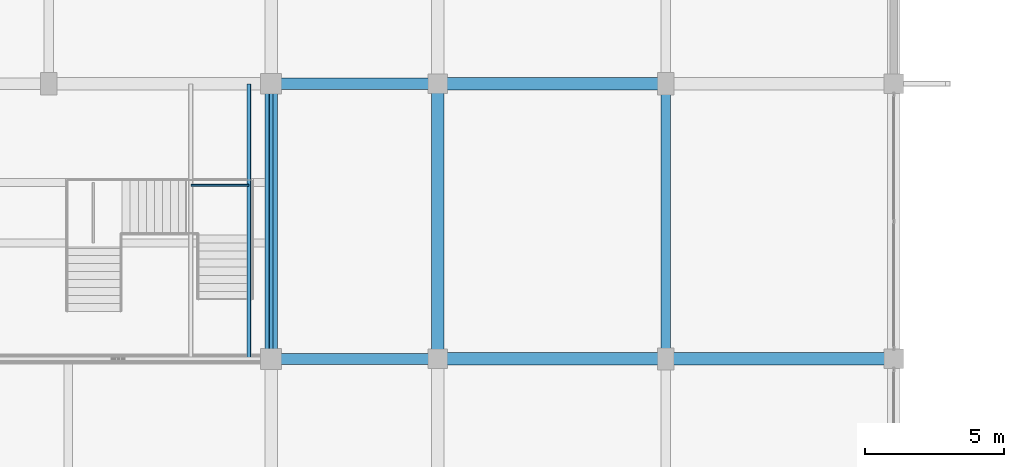
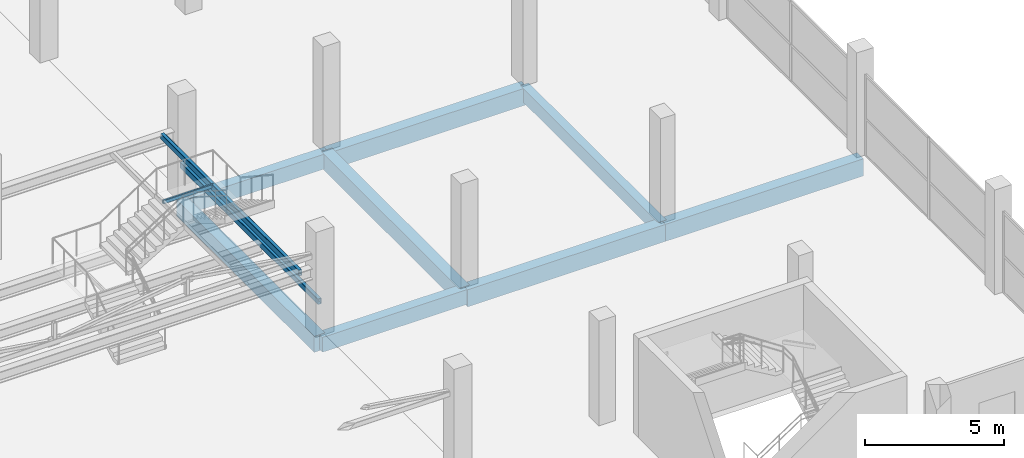
# One storey, part 23 of 49: 11 beams.
"""IFC4 building model written with IfcOpenShell, lengths in metres."""

import ifcopenshell
import ifcopenshell.guid

model = None  # the IFC model being written
_history = None  # IfcOwnerHistory: only IFC2X3 demands one
_inside = {}  # id of a spatial element -> (the spatial element, [elements in it])
_under = {}  # id of a project, library or spatial element -> (it, [spatial elements below it])
_declared = {}  # id of a project -> (the project, [libraries it declares])
_typed = {}  # id of a type object -> (the type object, [elements of that type])
_made_of = {}  # id of a material, layer set ... -> (it, [elements and type objects made of it])


def new_model(schema):
    """Start an empty IFC model of exactly this schema.

    Asked for "IFC4X3", IfcOpenShell would pick the latest addendum, in which some entities
    have other attributes; the version numbers below select the first issue.
    IFC2X3 requires an IfcOwnerHistory on every rooted entity: one is made here for all.
    """
    global model, _history
    if schema == "IFC4X3":
        model = ifcopenshell.file(schema_version=(4, 3, 0, 0))
    else:
        model = ifcopenshell.file(schema=schema)
    _inside.clear()
    _under.clear()
    _declared.clear()
    _typed.clear()
    _made_of.clear()
    _history = None
    if model.schema == "IFC2X3":
        org = make("IfcOrganization", Name="unknown")
        user = make(
            "IfcPersonAndOrganization",
            ThePerson=make("IfcPerson", FamilyName="unknown"),
            TheOrganization=org,
        )
        app = make(
            "IfcApplication",
            ApplicationDeveloper=org,
            Version="unknown",
            ApplicationFullName="unknown",
            ApplicationIdentifier="unknown",
        )
        _history = make(
            "IfcOwnerHistory",
            OwningUser=user,
            OwningApplication=app,
            ChangeAction="ADDED",
            CreationDate=0,
        )
    return model


def make(cls, **values):
    """One entity of the class cls with the attributes given. An attribute that is None is left unset."""
    return model.create_entity(
        cls, **{name: value for name, value in values.items() if value is not None}
    )


def rooted(cls, **values):
    """An entity with a GlobalId (a new one), such as an element, a storey or a relation."""
    return make(cls, GlobalId=ifcopenshell.guid.new(), OwnerHistory=_history, **values)


def si_unit(unit_type, name, prefix=None):
    """IfcSIUnit, for example si_unit("LENGTHUNIT", "METRE", prefix="MILLI")."""
    return make("IfcSIUnit", UnitType=unit_type, Prefix=prefix, Name=name)


def assignment(units):
    """IfcUnitAssignment: the units of a project."""
    return None if units is None else make("IfcUnitAssignment", Units=units)


def point(xyz):
    """IfcCartesianPoint."""
    return None if xyz is None else make("IfcCartesianPoint", Coordinates=xyz)


def direction(xyz):
    """IfcDirection."""
    return None if xyz is None else make("IfcDirection", DirectionRatios=xyz)


def frame(location, z_axis=None, x_axis=None):
    """IfcAxis2Placement3D, a coordinate frame: its origin and axes. An axis left out is left unset."""
    return make(
        "IfcAxis2Placement3D",
        Location=point(location),
        Axis=direction(z_axis),
        RefDirection=direction(x_axis),
    )


def frame_2d(location, x_axis=None):
    """IfcAxis2Placement2D, a coordinate frame in the plane: its origin and x axis."""
    return make(
        "IfcAxis2Placement2D", Location=point(location), RefDirection=direction(x_axis)
    )


def origin():
    """The frame at (0, 0, 0) with its axes left unset."""
    return frame((0.0, 0.0, 0.0))


def origin_2d():
    """The frame at (0, 0) in the plane with its x axis left unset."""
    return frame_2d((0.0, 0.0))


def place(relative_to, where):
    """IfcLocalPlacement: puts the frame where relative to a parent placement (None: the world)."""
    return make(
        "IfcLocalPlacement", PlacementRelTo=relative_to, RelativePlacement=where
    )


def context(
    kind, dimensions, precision=None, world=None, true_north=None, identifier=None
):
    """IfcGeometricRepresentationContext, for example the 3D "Model" context."""
    return make(
        "IfcGeometricRepresentationContext",
        ContextIdentifier=identifier,
        ContextType=kind,
        CoordinateSpaceDimension=dimensions,
        Precision=precision,
        WorldCoordinateSystem=world,
        TrueNorth=true_north,
    )


def subcontext(parent, identifier, kind, view, scale=None):
    """IfcGeometricRepresentationSubContext, for example "Body" below "Model"."""
    return make(
        "IfcGeometricRepresentationSubContext",
        ContextIdentifier=identifier,
        ContextType=kind,
        ParentContext=parent,
        TargetScale=scale,
        TargetView=view,
    )


def project(units=None, contexts=None):
    """IfcProject with its units and contexts."""
    return rooted(
        "IfcProject",
        Name="project",
        RepresentationContexts=contexts,
        UnitsInContext=assignment(units),
    )


def spatial(cls, under=None, at=None, **own):
    """A site, building, storey or space (cls), placed at a placement, below another one or the project."""
    s = rooted(cls, ObjectPlacement=at, **own)
    if under is not None:
        _under.setdefault(under.id(), (under, []))[1].append(s)
    return s


def profile(cls, at=None, kind="AREA", **sizes):
    """A parametric profile (cls). Its sizes go by their IFC names, for example OverallWidth=200.0."""
    return make(cls, ProfileType=kind, Position=at, **sizes)


def rectangle(**sizes):
    """IfcRectangleProfileDef."""
    return profile("IfcRectangleProfileDef", **sizes)


def hollow_rectangle(**sizes):
    """IfcRectangleHollowProfileDef."""
    return profile("IfcRectangleHollowProfileDef", **sizes)


def extrude(swept, where, along, depth):
    """IfcExtrudedAreaSolid: the profile swept, set in the frame where, extruded along a direction by depth."""
    return make(
        "IfcExtrudedAreaSolid",
        SweptArea=swept,
        Position=where,
        ExtrudedDirection=direction(along),
        Depth=depth,
    )


def shape(context_of_items, identifier, shape_type, items):
    """IfcShapeRepresentation: the items that make up one representation, for example the "Body"."""
    return make(
        "IfcShapeRepresentation",
        ContextOfItems=context_of_items,
        RepresentationIdentifier=identifier,
        RepresentationType=shape_type,
        Items=items,
    )


def material(Name=None, Category=None):
    """IfcMaterial."""
    return make("IfcMaterial", Name=Name, Category=Category)


def material_profile(
    of_material, cross_section, Name=None, Category=None, Priority=None
):
    """IfcMaterialProfile: a cross section and its material."""
    return make(
        "IfcMaterialProfile",
        Name=Name,
        Material=of_material,
        Profile=cross_section,
        Priority=Priority,
        Category=Category,
    )


def profile_set(profiles, Name=None, composite=None):
    """IfcMaterialProfileSet."""
    return make(
        "IfcMaterialProfileSet",
        Name=Name,
        MaterialProfiles=profiles,
        CompositeProfile=composite,
    )


def made_of(thing, what):
    """Note that an element or type object is made of a material, layer set ...; save() writes the relation."""
    if what is not None:
        _made_of.setdefault(what.id(), (what, []))[1].append(thing)
    return thing


def type_object(cls, material=None, **own):
    """A type object (cls), such as IfcWallType, which elements share."""
    return made_of(rooted(cls, **own), material)


def element(
    cls,
    number,
    at=None,
    inside=None,
    cuts=None,
    type_object=None,
    material=None,
    context=None,
    identifier="Body",
    shape_type=None,
    held_by="IfcProductDefinitionShape",
    body=None,
    shapes=None,
    **own,
):
    """One element of the class cls, such as IfcWall. Its Tag is "e" and its number.

    at: its placement. inside: the storey or other place that contains it. cuts: it is an
    opening in that element (IfcRelVoidsElement). A single representation is given by context,
    identifier, shape_type and body (its items); several are given by shapes. held_by: the class
    of the entity that holds the representations. save() writes the other relations.
    """
    e = rooted(cls, Tag="e%d" % number, ObjectPlacement=at, **own)
    if body is not None:
        shapes = [shape(context, identifier, shape_type, body)]
    if shapes is not None:
        e.Representation = make(held_by, Representations=shapes)
    if inside is not None:
        _inside.setdefault(inside.id(), (inside, []))[1].append(e)
    if cuts is not None:
        rooted(
            "IfcRelVoidsElement", RelatingBuildingElement=cuts, RelatedOpeningElement=e
        )
    if type_object is not None:
        _typed.setdefault(type_object.id(), (type_object, []))[1].append(e)
    return made_of(e, material)


def aggregate(whole, parts):
    """IfcRelAggregates: a whole, such as a stair, and the parts it consists of."""
    return rooted("IfcRelAggregates", RelatingObject=whole, RelatedObjects=parts)


def save(model, path):
    """Write the relations noted so far, then the file.

    IfcRelAggregates (storeys below a building ...), IfcRelContainedInSpatialStructure (elements
    in a storey), IfcRelDefinesByType, IfcRelAssociatesMaterial and IfcRelDeclares: one each for
    every whole, place, type object, material and project.
    """
    for whole, parts in _under.values():
        aggregate(whole, parts)
    for where, things in _inside.values():
        rooted(
            "IfcRelContainedInSpatialStructure",
            RelatedElements=things,
            RelatingStructure=where,
        )
    for kind, things in _typed.values():
        rooted("IfcRelDefinesByType", RelatedObjects=things, RelatingType=kind)
    for what, things in _made_of.values():
        rooted("IfcRelAssociatesMaterial", RelatedObjects=things, RelatingMaterial=what)
    for by, libraries in _declared.values():
        rooted("IfcRelDeclares", RelatingContext=by, RelatedDefinitions=libraries)
    model.write(path)


model = new_model("IFC4")

# Units and contexts
model_context = context("Model", 3, precision=1e-05, world=origin(), true_north=direction((0.0, 1.0)))
body_context = subcontext(model_context, "Body", "Model", "MODEL_VIEW")
ifc_project = project(units=[si_unit("LENGTHUNIT", "METRE"), si_unit("AREAUNIT", "SQUARE_METRE"), si_unit("VOLUMEUNIT", "CUBIC_METRE"), si_unit("PLANEANGLEUNIT", "RADIAN"), si_unit("MASSUNIT", "GRAM", prefix="KILO")], contexts=[model_context])

# Site, building, storey
site_placement = place(None, origin())
site = spatial("IfcSite", under=ifc_project, at=site_placement, CompositionType="ELEMENT")
building_placement = place(site_placement, origin())
building = spatial("IfcBuilding", under=site, at=building_placement, Name="Sillaruma Civic Art Gallery", CompositionType="ELEMENT")
storey_placement = place(building_placement, frame((0.0, 0.0, 33.14990234375)))
storey = spatial("IfcBuildingStorey", under=building, at=storey_placement, Name="L06", CompositionType="ELEMENT", Elevation=33.14990234375)

# Beams
ifc_material_1 = material(Name="Concrete H35 (35 MPa)", Category="concrete")
ifc_material_profile_1 = material_profile(ifc_material_1, rectangle(XDim=0.35009765625, YDim=0.60009765625, at=origin_2d()), Name="RCB350x600")
ifc_profile_set_1 = profile_set([ifc_material_profile_1], Name="Concrete H35 (35 MPa)")
beam_type_1 = type_object("IfcBeamType", Name="BM-BEAM-RCB350x600", PredefinedType="BEAM", material=ifc_profile_set_1)
beam_1_placement = place(storey_placement, frame((106.199951171875, 69.300048828125, -0.539794921875), z_axis=(0.0, 1.0, 0.0), x_axis=(-1.0, 0.0, 0.0)))
element("IfcBeam", 1, at=beam_1_placement, inside=storey, type_object=beam_type_1, Name="Beam BM-06 (L05:M:8-9)", PredefinedType="BEAM", context=body_context, shape_type="SweptSolid", body=[
    extrude(rectangle(XDim=0.35009765625, YDim=0.60009765625, at=origin_2d()), origin(), (0.0, 0.0, 1.0), 9.89990234375),
])
ifc_material_profile_2 = material_profile(ifc_material_1, rectangle(XDim=0.39990234375, YDim=0.64990234375, at=origin_2d()), Name="RCB400x650")
ifc_profile_set_2 = profile_set([ifc_material_profile_2], Name="Concrete H35 (35 MPa)")
beam_type_2 = type_object("IfcBeamType", Name="BM-BEAM-RCB400x650", PredefinedType="BEAM", material=ifc_profile_set_2)
for number, where, z_axis, x_axis, name in (
    (2, (92.0, 69.300048828125, -0.56494140625), (1.0, 0.0, 0.0), (0.0, 1.0, 0.0), "Beam BM-05 (L05:8:K-L)"),
    (3, (92.0, 79.199951171875, -0.56494140625), (1.0, 0.0, 0.0), (0.0, 1.0, 0.0), "Beam BM-05 (L05:9:K-L)"),
):
    element("IfcBeam", number, at=place(storey_placement, frame(where, z_axis=z_axis, x_axis=x_axis)), inside=storey, type_object=beam_type_2, Name=name, PredefinedType="BEAM", context=body_context, shape_type="SweptSolid", body=[
        extrude(rectangle(XDim=0.39990234375, YDim=0.64990234375, at=origin_2d()), origin(), (0.0, 0.0, 1.0), 6.0),
    ])
ifc_material_2 = material(Name="Concrete H40 (40 MPa)", Category="concrete")
ifc_material_profile_3 = material_profile(ifc_material_2, rectangle(XDim=0.449951171875, YDim=0.75, at=origin_2d()), Name="RCB450x750")
ifc_profile_set_3 = profile_set([ifc_material_profile_3], Name="Concrete H40 (40 MPa)")
beam_type_3 = type_object("IfcBeamType", Name="BM-BEAM-RCB450x750", PredefinedType="BEAM", material=ifc_profile_set_3)
for number, where, z_axis, x_axis, name in (
    (4, (98.0, 69.300048828125, -0.614990234375), (1.0, 0.0, 0.0), (0.0, 1.0, 0.0), "Beam BM-03 (L05:8:L-M)"),
    (5, (106.199951171875, 69.300048828125, -0.614990234375), (1.0, 0.0, 0.0), (0.0, 1.0, 0.0), "Beam BM-03 (L05:8:M-N)"),
    (6, (98.0, 79.199951171875, -0.614990234375), (1.0, 0.0, 0.0), (0.0, 1.0, 0.0), "Beam BM-03 (L05:9:L-M)"),
):
    element("IfcBeam", number, at=place(storey_placement, frame(where, z_axis=z_axis, x_axis=x_axis)), inside=storey, type_object=beam_type_3, Name=name, PredefinedType="BEAM", context=body_context, shape_type="SweptSolid", body=[
        extrude(rectangle(XDim=0.449951171875, YDim=0.75, at=origin_2d()), origin(), (0.0, 0.0, 1.0), 8.199951171875),
    ])
ifc_material_3 = material(Name="Structural Steel ASTM A500 Gr.C", Category="steel")
ifc_material_profile_4 = material_profile(ifc_material_3, hollow_rectangle(XDim=0.080078125, YDim=0.159912109375, WallThickness=0.008056640625, InnerFilletRadius=0.008056640625, OuterFilletRadius=0.01611328125, at=origin_2d()), Name="HSS160x80x8")
ifc_profile_set_4 = profile_set([ifc_material_profile_4], Name="Structural Steel ASTM A500 Gr.C")
beam_type_4 = type_object("IfcBeamType", Name="BM-FS-HSS160", PredefinedType="BEAM", material=ifc_profile_set_4)
beam_2_placement = place(storey_placement, frame((89.110107421875, 75.550048828125, 2.795166015625), z_axis=(1.0, 0.0, 0.0), x_axis=(0.0, 1.0, 0.0)))
element("IfcBeam", 7, at=beam_2_placement, inside=storey, type_object=beam_type_4, Name="Feature Stair L2 Spreader (ST-G03)", PredefinedType="BEAM", context=body_context, shape_type="SweptSolid", body=[
    extrude(hollow_rectangle(XDim=0.080078125, YDim=0.159912109375, WallThickness=0.008056640625, InnerFilletRadius=0.008056640625, OuterFilletRadius=0.01611328125, at=origin_2d()), origin(), (0.0, 0.0, 1.0), 2.08984375),
])
ifc_material_profile_5 = material_profile(ifc_material_3, hollow_rectangle(XDim=0.14990234375, YDim=0.25, WallThickness=0.010009765625, InnerFilletRadius=0.010009765625, OuterFilletRadius=0.02001953125, at=origin_2d()), Name="HSS250x150x10")
ifc_profile_set_5 = profile_set([ifc_material_profile_5], Name="Structural Steel ASTM A500 Gr.C")
beam_type_5 = type_object("IfcBeamType", Name="BM-LND-HSS200", PredefinedType="BEAM", material=ifc_profile_set_5)
for number, where, z_axis, x_axis, name in (
    (8, (92.0, 69.300048828125, 1.22021484375), (0.0, 1.0, 0.0), (-1.0, 0.0, 0.0), "Feature Stair L1 Rail (ST-G03-E)"),
    (9, (91.199951171875, 69.300048828125, 2.75), (0.0, 1.0, 0.0), (-1.0, 0.0, 0.0), "Feature Stair L2 Girder (ST-G03-2)"),
):
    element("IfcBeam", number, at=place(storey_placement, frame(where, z_axis=z_axis, x_axis=x_axis)), inside=storey, type_object=beam_type_5, Name=name, PredefinedType="BEAM", context=body_context, shape_type="SweptSolid", body=[
        extrude(hollow_rectangle(XDim=0.14990234375, YDim=0.25, WallThickness=0.010009765625, InnerFilletRadius=0.010009765625, OuterFilletRadius=0.02001953125, at=origin_2d()), origin(), (0.0, 0.0, 1.0), 9.89990234375),
    ])
ifc_material_profile_6 = material_profile(ifc_material_1, rectangle(XDim=0.449951171875, YDim=0.699951171875, at=origin_2d()), Name="RCB450x700")
ifc_profile_set_6 = profile_set([ifc_material_profile_6], Name="Concrete H35 (35 MPa)")
beam_type_6 = type_object("IfcBeamType", Name="BM-SPANDREL-RCB450x700", PredefinedType="SPANDREL", material=ifc_profile_set_6)
for number, where, z_axis, x_axis, name in (
    (10, (92.0, 69.300048828125, -0.58984375), (0.0, 1.0, 0.0), (-1.0, 0.0, 0.0), "Beam BS-03 (L05:K:8-9)"),
    (11, (98.0, 69.300048828125, -0.58984375), (0.0, 1.0, 0.0), (-1.0, 0.0, 0.0), "Beam BS-03 (L05:L:8-9)"),
):
    element("IfcBeam", number, at=place(storey_placement, frame(where, z_axis=z_axis, x_axis=x_axis)), inside=storey, type_object=beam_type_6, Name=name, PredefinedType="SPANDREL", context=body_context, shape_type="SweptSolid", body=[
        extrude(rectangle(XDim=0.449951171875, YDim=0.699951171875, at=origin_2d()), origin(), (0.0, 0.0, 1.0), 9.89990234375),
    ])

save(model, "model.ifc")
